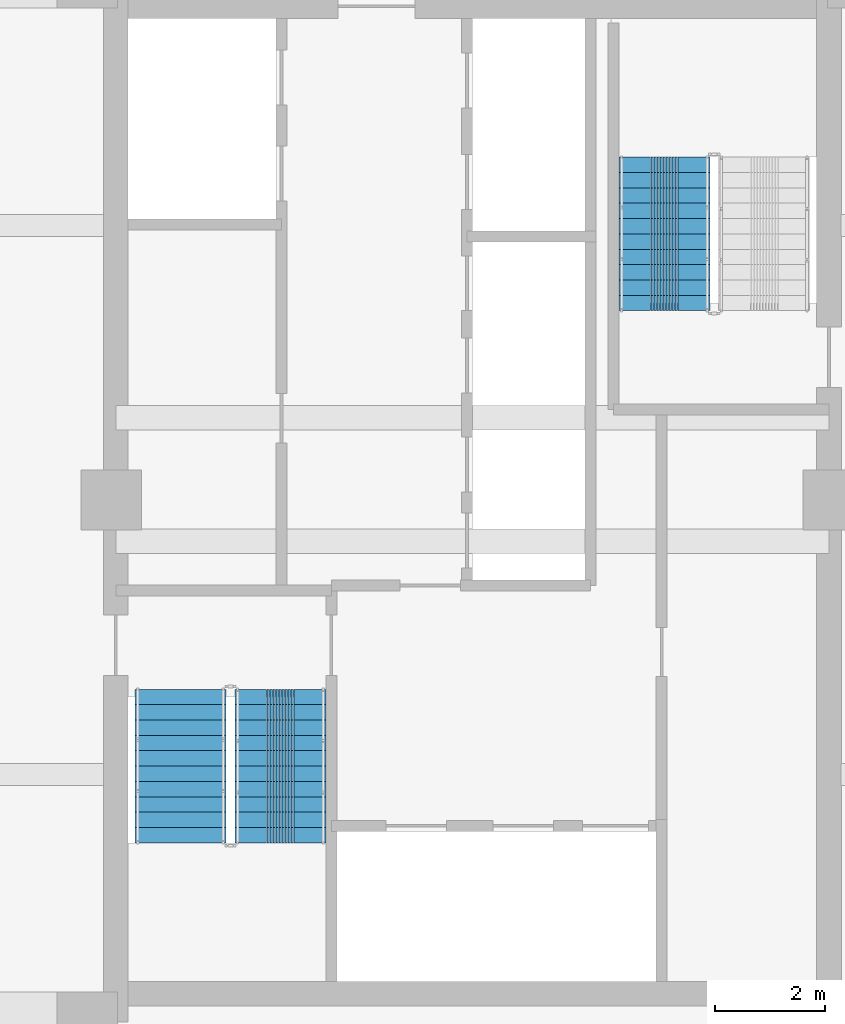
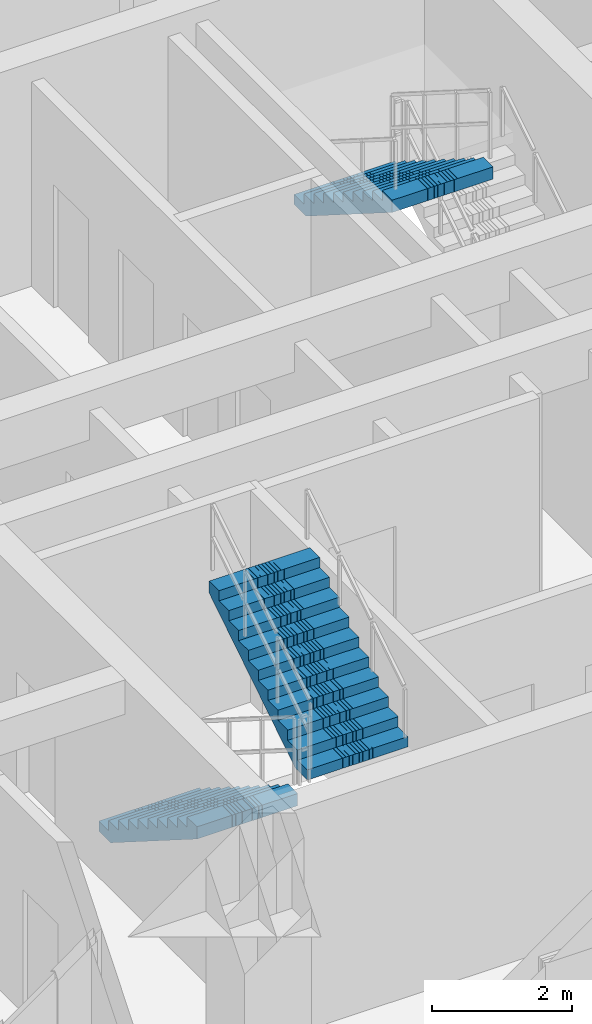
# One storey, part 9 of 15: 3 stair flights, 2 elements without a shape of their own.
"""IFC4 building model written with IfcOpenShell, lengths in metres."""

from ifc_helpers import new_model, si_unit, direction, frame, origin, place, context, subcontext, project, spatial, polyline, outline, extrude, material, type_object, element, aggregate, save


model = new_model("IFC4")

# Units and contexts
model_context = context("Model", 3, precision=1e-05, world=origin(), true_north=direction((0.0, 1.0)))
body_context = subcontext(model_context, "Body", "Model", "MODEL_VIEW")
ifc_project = project(units=[si_unit("LENGTHUNIT", "METRE"), si_unit("AREAUNIT", "SQUARE_METRE"), si_unit("VOLUMEUNIT", "CUBIC_METRE"), si_unit("PLANEANGLEUNIT", "RADIAN"), si_unit("MASSUNIT", "GRAM", prefix="KILO")], contexts=[model_context])

# Site, building, storey
site_placement = place(None, origin())
site = spatial("IfcSite", under=ifc_project, at=site_placement, CompositionType="ELEMENT")
building_placement = place(site_placement, origin())
building = spatial("IfcBuilding", under=site, at=building_placement, Name="Saelheon Loggia Tower", CompositionType="ELEMENT")
storey_placement = place(building_placement, frame((0.0, 0.0, 169.0)))
storey = spatial("IfcBuildingStorey", under=building, at=storey_placement, Name="L53", CompositionType="ELEMENT", Elevation=169.0)

# Stair, stair flights
ifc_material = material(Name="Concrete C40/50", Category="concrete")
stair_type = type_object("IfcStairType", Name="Stair_Escape_Core", PredefinedType="HALF_TURN_STAIR", material=ifc_material)
stair_1_placement = place(storey_placement, origin())
stair_1 = element("IfcStair", 1, at=stair_1_placement, inside=storey, type_object=stair_type, Name="L53 Special Escape Stair ST1", PredefinedType="HALF_TURN_STAIR")
stair_flight_type = type_object("IfcStairFlightType", Name="StairFlight_Tower_1660", PredefinedType="STRAIGHT", material=ifc_material)
stair_flight_1_placement = place(storey_placement, frame((32.679931640625, 23.550048828125, 0.0), z_axis=(0.0, 0.0, 1.0), x_axis=(0.0, -1.0, 0.0)))
stair_flight_1 = element("IfcStairFlight", 2, at=stair_flight_1_placement, type_object=stair_flight_type, Name="ST1 flight 1", NumberOfRisers=11, NumberOfTreads=10, PredefinedType="STRAIGHT", RiserHeight=0.177272727, TreadLength=0.28, context=body_context, shape_type="SweptSolid", body=[
    extrude(outline(polyline([(0.0, 0.0), (0.0, 0.17724609375), (0.280029296875, 0.17724609375), (0.280029296875, 0.3544921875), (0.56005859375, 0.3544921875), (0.56005859375, 0.53173828125), (0.840087890625, 0.53173828125), (0.840087890625, 0.708984375), (1.1201171875, 0.708984375), (1.1201171875, 0.886474609375), (1.39990234375, 0.886474609375), (1.39990234375, 1.063720703125), (1.679931640625, 1.063720703125), (1.679931640625, 1.240966796875), (1.9599609375, 1.240966796875), (1.9599609375, 1.418212890625), (2.239990234375, 1.418212890625), (2.239990234375, 1.595458984375), (2.52001953125, 1.595458984375), (2.52001953125, 1.772705078125), (2.800048828125, 1.772705078125), (2.800048828125, 1.949951171875), (2.800048828125, 1.559814453125), (0.33642578125, 0.0), (0.0, 0.0)])), frame((0.0, -0.2490234375, 0.0), z_axis=(0.0, -1.0, 0.0), x_axis=(1.0, 0.0, 0.0)), (0.0, 0.0, 1.0), 0.5810546875),
    extrude(outline(polyline([(0.0, 0.0), (0.0, 0.17724609375), (0.280029296875, 0.17724609375), (0.280029296875, 0.3544921875), (0.56005859375, 0.3544921875), (0.56005859375, 0.53173828125), (0.840087890625, 0.53173828125), (0.840087890625, 0.708984375), (1.1201171875, 0.708984375), (1.1201171875, 0.886474609375), (1.39990234375, 0.886474609375), (1.39990234375, 1.063720703125), (1.679931640625, 1.063720703125), (1.679931640625, 1.240966796875), (1.9599609375, 1.240966796875), (1.9599609375, 1.418212890625), (2.239990234375, 1.418212890625), (2.239990234375, 1.595458984375), (2.52001953125, 1.595458984375), (2.52001953125, 1.772705078125), (2.800048828125, 1.772705078125), (2.800048828125, 1.949951171875), (2.800048828125, 1.559814453125), (0.33642578125, 0.0), (0.0, 0.0)])), frame((0.0, -0.194091796875, 0.0), z_axis=(0.0, -1.0, 0.0), x_axis=(1.0, 0.0, 0.0)), (0.0, 0.0, 1.0), 0.0498046875),
    extrude(outline(polyline([(0.0, 0.0), (0.0, 0.17724609375), (0.280029296875, 0.17724609375), (0.280029296875, 0.3544921875), (0.56005859375, 0.3544921875), (0.56005859375, 0.53173828125), (0.840087890625, 0.53173828125), (0.840087890625, 0.708984375), (1.1201171875, 0.708984375), (1.1201171875, 0.886474609375), (1.39990234375, 0.886474609375), (1.39990234375, 1.063720703125), (1.679931640625, 1.063720703125), (1.679931640625, 1.240966796875), (1.9599609375, 1.240966796875), (1.9599609375, 1.418212890625), (2.239990234375, 1.418212890625), (2.239990234375, 1.595458984375), (2.52001953125, 1.595458984375), (2.52001953125, 1.772705078125), (2.800048828125, 1.772705078125), (2.800048828125, 1.949951171875), (2.800048828125, 1.559814453125), (0.33642578125, 0.0), (0.0, 0.0)])), frame((0.0, -0.139404296875, 0.0), z_axis=(0.0, -1.0, 0.0), x_axis=(1.0, 0.0, 0.0)), (0.0, 0.0, 1.0), 0.0498046875),
    extrude(outline(polyline([(0.0, 0.0), (0.0, 0.17724609375), (0.280029296875, 0.17724609375), (0.280029296875, 0.3544921875), (0.56005859375, 0.3544921875), (0.56005859375, 0.53173828125), (0.840087890625, 0.53173828125), (0.840087890625, 0.708984375), (1.1201171875, 0.708984375), (1.1201171875, 0.886474609375), (1.39990234375, 0.886474609375), (1.39990234375, 1.063720703125), (1.679931640625, 1.063720703125), (1.679931640625, 1.240966796875), (1.9599609375, 1.240966796875), (1.9599609375, 1.418212890625), (2.239990234375, 1.418212890625), (2.239990234375, 1.595458984375), (2.52001953125, 1.595458984375), (2.52001953125, 1.772705078125), (2.800048828125, 1.772705078125), (2.800048828125, 1.949951171875), (2.800048828125, 1.559814453125), (0.33642578125, 0.0), (0.0, 0.0)])), frame((0.0, -0.084716796875, 0.0), z_axis=(0.0, -1.0, 0.0), x_axis=(1.0, 0.0, 0.0)), (0.0, 0.0, 1.0), 0.0498046875),
    extrude(outline(polyline([(0.0, 0.0), (0.0, 0.17724609375), (0.280029296875, 0.17724609375), (0.280029296875, 0.3544921875), (0.56005859375, 0.3544921875), (0.56005859375, 0.53173828125), (0.840087890625, 0.53173828125), (0.840087890625, 0.708984375), (1.1201171875, 0.708984375), (1.1201171875, 0.886474609375), (1.39990234375, 0.886474609375), (1.39990234375, 1.063720703125), (1.679931640625, 1.063720703125), (1.679931640625, 1.240966796875), (1.9599609375, 1.240966796875), (1.9599609375, 1.418212890625), (2.239990234375, 1.418212890625), (2.239990234375, 1.595458984375), (2.52001953125, 1.595458984375), (2.52001953125, 1.772705078125), (2.800048828125, 1.772705078125), (2.800048828125, 1.949951171875), (2.800048828125, 1.559814453125), (0.33642578125, 0.0), (0.0, 0.0)])), frame((0.0, -0.02978515625, 0.0), z_axis=(0.0, -1.0, 0.0), x_axis=(1.0, 0.0, 0.0)), (0.0, 0.0, 1.0), 0.0498046875),
    extrude(outline(polyline([(0.0, 0.0), (0.0, 0.17724609375), (0.280029296875, 0.17724609375), (0.280029296875, 0.3544921875), (0.56005859375, 0.3544921875), (0.56005859375, 0.53173828125), (0.840087890625, 0.53173828125), (0.840087890625, 0.708984375), (1.1201171875, 0.708984375), (1.1201171875, 0.886474609375), (1.39990234375, 0.886474609375), (1.39990234375, 1.063720703125), (1.679931640625, 1.063720703125), (1.679931640625, 1.240966796875), (1.9599609375, 1.240966796875), (1.9599609375, 1.418212890625), (2.239990234375, 1.418212890625), (2.239990234375, 1.595458984375), (2.52001953125, 1.595458984375), (2.52001953125, 1.772705078125), (2.800048828125, 1.772705078125), (2.800048828125, 1.949951171875), (2.800048828125, 1.559814453125), (0.33642578125, 0.0), (0.0, 0.0)])), frame((0.0, 0.02490234375, 0.0), z_axis=(0.0, -1.0, 0.0), x_axis=(1.0, 0.0, 0.0)), (0.0, 0.0, 1.0), 0.0498046875),
    extrude(outline(polyline([(0.0, 0.0), (0.0, 0.17724609375), (0.280029296875, 0.17724609375), (0.280029296875, 0.3544921875), (0.56005859375, 0.3544921875), (0.56005859375, 0.53173828125), (0.840087890625, 0.53173828125), (0.840087890625, 0.708984375), (1.1201171875, 0.708984375), (1.1201171875, 0.886474609375), (1.39990234375, 0.886474609375), (1.39990234375, 1.063720703125), (1.679931640625, 1.063720703125), (1.679931640625, 1.240966796875), (1.9599609375, 1.240966796875), (1.9599609375, 1.418212890625), (2.239990234375, 1.418212890625), (2.239990234375, 1.595458984375), (2.52001953125, 1.595458984375), (2.52001953125, 1.772705078125), (2.800048828125, 1.772705078125), (2.800048828125, 1.949951171875), (2.800048828125, 1.559814453125), (0.33642578125, 0.0), (0.0, 0.0)])), frame((0.0, 0.07958984375, 0.0), z_axis=(0.0, -1.0, 0.0), x_axis=(1.0, 0.0, 0.0)), (0.0, 0.0, 1.0), 0.0498046875),
    extrude(outline(polyline([(0.0, 0.0), (0.0, 0.17724609375), (0.280029296875, 0.17724609375), (0.280029296875, 0.3544921875), (0.56005859375, 0.3544921875), (0.56005859375, 0.53173828125), (0.840087890625, 0.53173828125), (0.840087890625, 0.708984375), (1.1201171875, 0.708984375), (1.1201171875, 0.886474609375), (1.39990234375, 0.886474609375), (1.39990234375, 1.063720703125), (1.679931640625, 1.063720703125), (1.679931640625, 1.240966796875), (1.9599609375, 1.240966796875), (1.9599609375, 1.418212890625), (2.239990234375, 1.418212890625), (2.239990234375, 1.595458984375), (2.52001953125, 1.595458984375), (2.52001953125, 1.772705078125), (2.800048828125, 1.772705078125), (2.800048828125, 1.949951171875), (2.800048828125, 1.559814453125), (0.33642578125, 0.0), (0.0, 0.0)])), frame((0.0, 0.134521484375, 0.0), z_axis=(0.0, -1.0, 0.0), x_axis=(1.0, 0.0, 0.0)), (0.0, 0.0, 1.0), 0.0498046875),
    extrude(outline(polyline([(0.0, 0.0), (0.0, 0.17724609375), (0.280029296875, 0.17724609375), (0.280029296875, 0.3544921875), (0.56005859375, 0.3544921875), (0.56005859375, 0.53173828125), (0.840087890625, 0.53173828125), (0.840087890625, 0.708984375), (1.1201171875, 0.708984375), (1.1201171875, 0.886474609375), (1.39990234375, 0.886474609375), (1.39990234375, 1.063720703125), (1.679931640625, 1.063720703125), (1.679931640625, 1.240966796875), (1.9599609375, 1.240966796875), (1.9599609375, 1.418212890625), (2.239990234375, 1.418212890625), (2.239990234375, 1.595458984375), (2.52001953125, 1.595458984375), (2.52001953125, 1.772705078125), (2.800048828125, 1.772705078125), (2.800048828125, 1.949951171875), (2.800048828125, 1.559814453125), (0.33642578125, 0.0), (0.0, 0.0)])), frame((0.0, 0.189208984375, 0.0), z_axis=(0.0, -1.0, 0.0), x_axis=(1.0, 0.0, 0.0)), (0.0, 0.0, 1.0), 0.0498046875),
    extrude(outline(polyline([(0.0, 0.0), (0.0, 0.17724609375), (0.280029296875, 0.17724609375), (0.280029296875, 0.3544921875), (0.56005859375, 0.3544921875), (0.56005859375, 0.53173828125), (0.840087890625, 0.53173828125), (0.840087890625, 0.708984375), (1.1201171875, 0.708984375), (1.1201171875, 0.886474609375), (1.39990234375, 0.886474609375), (1.39990234375, 1.063720703125), (1.679931640625, 1.063720703125), (1.679931640625, 1.240966796875), (1.9599609375, 1.240966796875), (1.9599609375, 1.418212890625), (2.239990234375, 1.418212890625), (2.239990234375, 1.595458984375), (2.52001953125, 1.595458984375), (2.52001953125, 1.772705078125), (2.800048828125, 1.772705078125), (2.800048828125, 1.949951171875), (2.800048828125, 1.559814453125), (0.33642578125, 0.0), (0.0, 0.0)])), frame((0.0, 0.243896484375, 0.0), z_axis=(0.0, -1.0, 0.0), x_axis=(1.0, 0.0, 0.0)), (0.0, 0.0, 1.0), 0.0498046875),
    extrude(outline(polyline([(0.0, 0.0), (0.0, 0.17724609375), (0.280029296875, 0.17724609375), (0.280029296875, 0.3544921875), (0.56005859375, 0.3544921875), (0.56005859375, 0.53173828125), (0.840087890625, 0.53173828125), (0.840087890625, 0.708984375), (1.1201171875, 0.708984375), (1.1201171875, 0.886474609375), (1.39990234375, 0.886474609375), (1.39990234375, 1.063720703125), (1.679931640625, 1.063720703125), (1.679931640625, 1.240966796875), (1.9599609375, 1.240966796875), (1.9599609375, 1.418212890625), (2.239990234375, 1.418212890625), (2.239990234375, 1.595458984375), (2.52001953125, 1.595458984375), (2.52001953125, 1.772705078125), (2.800048828125, 1.772705078125), (2.800048828125, 1.949951171875), (2.800048828125, 1.559814453125), (0.33642578125, 0.0), (0.0, 0.0)])), frame((0.0, 0.830078125, 0.0), z_axis=(0.0, -1.0, 0.0), x_axis=(1.0, 0.0, 0.0)), (0.0, 0.0, 1.0), 0.5810546875),
])
stair_flight_2_placement = place(storey_placement, frame((34.5, 20.75, 1.949951171875), z_axis=(0.0, 0.0, 1.0), x_axis=(0.0, 1.0, 0.0)))
stair_flight_2 = element("IfcStairFlight", 3, at=stair_flight_2_placement, type_object=stair_flight_type, Name="ST1 flight 2", NumberOfRisers=11, NumberOfTreads=10, PredefinedType="STRAIGHT", RiserHeight=0.177272727, TreadLength=0.28, context=body_context, shape_type="SweptSolid", body=[
    extrude(outline(polyline([(0.0, 0.0), (0.0, 0.17724609375), (0.280029296875, 0.17724609375), (0.280029296875, 0.3544921875), (0.56005859375, 0.3544921875), (0.56005859375, 0.53173828125), (0.840087890625, 0.53173828125), (0.840087890625, 0.708984375), (1.1201171875, 0.708984375), (1.1201171875, 0.886474609375), (1.39990234375, 0.886474609375), (1.39990234375, 1.063720703125), (1.679931640625, 1.063720703125), (1.679931640625, 1.240966796875), (1.9599609375, 1.240966796875), (1.9599609375, 1.418212890625), (2.239990234375, 1.418212890625), (2.239990234375, 1.595458984375), (2.52001953125, 1.595458984375), (2.52001953125, 1.772705078125), (2.800048828125, 1.772705078125), (2.800048828125, 1.949951171875), (2.800048828125, 1.559814453125), (0.33642578125, 0.0), (0.0, 0.0)])), frame((0.0, -0.2490234375, 0.0), z_axis=(0.0, -1.0, 0.0), x_axis=(1.0, 0.0, 0.0)), (0.0, 0.0, 1.0), 0.5810546875),
    extrude(outline(polyline([(0.0, 0.0), (0.0, 0.17724609375), (0.280029296875, 0.17724609375), (0.280029296875, 0.3544921875), (0.56005859375, 0.3544921875), (0.56005859375, 0.53173828125), (0.840087890625, 0.53173828125), (0.840087890625, 0.708984375), (1.1201171875, 0.708984375), (1.1201171875, 0.886474609375), (1.39990234375, 0.886474609375), (1.39990234375, 1.063720703125), (1.679931640625, 1.063720703125), (1.679931640625, 1.240966796875), (1.9599609375, 1.240966796875), (1.9599609375, 1.418212890625), (2.239990234375, 1.418212890625), (2.239990234375, 1.595458984375), (2.52001953125, 1.595458984375), (2.52001953125, 1.772705078125), (2.800048828125, 1.772705078125), (2.800048828125, 1.949951171875), (2.800048828125, 1.559814453125), (0.33642578125, 0.0), (0.0, 0.0)])), frame((0.0, -0.194091796875, 0.0), z_axis=(0.0, -1.0, 0.0), x_axis=(1.0, 0.0, 0.0)), (0.0, 0.0, 1.0), 0.0498046875),
    extrude(outline(polyline([(0.0, 0.0), (0.0, 0.17724609375), (0.280029296875, 0.17724609375), (0.280029296875, 0.3544921875), (0.56005859375, 0.3544921875), (0.56005859375, 0.53173828125), (0.840087890625, 0.53173828125), (0.840087890625, 0.708984375), (1.1201171875, 0.708984375), (1.1201171875, 0.886474609375), (1.39990234375, 0.886474609375), (1.39990234375, 1.063720703125), (1.679931640625, 1.063720703125), (1.679931640625, 1.240966796875), (1.9599609375, 1.240966796875), (1.9599609375, 1.418212890625), (2.239990234375, 1.418212890625), (2.239990234375, 1.595458984375), (2.52001953125, 1.595458984375), (2.52001953125, 1.772705078125), (2.800048828125, 1.772705078125), (2.800048828125, 1.949951171875), (2.800048828125, 1.559814453125), (0.33642578125, 0.0), (0.0, 0.0)])), frame((0.0, -0.139404296875, 0.0), z_axis=(0.0, -1.0, 0.0), x_axis=(1.0, 0.0, 0.0)), (0.0, 0.0, 1.0), 0.0498046875),
    extrude(outline(polyline([(0.0, 0.0), (0.0, 0.17724609375), (0.280029296875, 0.17724609375), (0.280029296875, 0.3544921875), (0.56005859375, 0.3544921875), (0.56005859375, 0.53173828125), (0.840087890625, 0.53173828125), (0.840087890625, 0.708984375), (1.1201171875, 0.708984375), (1.1201171875, 0.886474609375), (1.39990234375, 0.886474609375), (1.39990234375, 1.063720703125), (1.679931640625, 1.063720703125), (1.679931640625, 1.240966796875), (1.9599609375, 1.240966796875), (1.9599609375, 1.418212890625), (2.239990234375, 1.418212890625), (2.239990234375, 1.595458984375), (2.52001953125, 1.595458984375), (2.52001953125, 1.772705078125), (2.800048828125, 1.772705078125), (2.800048828125, 1.949951171875), (2.800048828125, 1.559814453125), (0.33642578125, 0.0), (0.0, 0.0)])), frame((0.0, -0.084716796875, 0.0), z_axis=(0.0, -1.0, 0.0), x_axis=(1.0, 0.0, 0.0)), (0.0, 0.0, 1.0), 0.0498046875),
    extrude(outline(polyline([(0.0, 0.0), (0.0, 0.17724609375), (0.280029296875, 0.17724609375), (0.280029296875, 0.3544921875), (0.56005859375, 0.3544921875), (0.56005859375, 0.53173828125), (0.840087890625, 0.53173828125), (0.840087890625, 0.708984375), (1.1201171875, 0.708984375), (1.1201171875, 0.886474609375), (1.39990234375, 0.886474609375), (1.39990234375, 1.063720703125), (1.679931640625, 1.063720703125), (1.679931640625, 1.240966796875), (1.9599609375, 1.240966796875), (1.9599609375, 1.418212890625), (2.239990234375, 1.418212890625), (2.239990234375, 1.595458984375), (2.52001953125, 1.595458984375), (2.52001953125, 1.772705078125), (2.800048828125, 1.772705078125), (2.800048828125, 1.949951171875), (2.800048828125, 1.559814453125), (0.33642578125, 0.0), (0.0, 0.0)])), frame((0.0, -0.02978515625, 0.0), z_axis=(0.0, -1.0, 0.0), x_axis=(1.0, 0.0, 0.0)), (0.0, 0.0, 1.0), 0.0498046875),
    extrude(outline(polyline([(0.0, 0.0), (0.0, 0.17724609375), (0.280029296875, 0.17724609375), (0.280029296875, 0.3544921875), (0.56005859375, 0.3544921875), (0.56005859375, 0.53173828125), (0.840087890625, 0.53173828125), (0.840087890625, 0.708984375), (1.1201171875, 0.708984375), (1.1201171875, 0.886474609375), (1.39990234375, 0.886474609375), (1.39990234375, 1.063720703125), (1.679931640625, 1.063720703125), (1.679931640625, 1.240966796875), (1.9599609375, 1.240966796875), (1.9599609375, 1.418212890625), (2.239990234375, 1.418212890625), (2.239990234375, 1.595458984375), (2.52001953125, 1.595458984375), (2.52001953125, 1.772705078125), (2.800048828125, 1.772705078125), (2.800048828125, 1.949951171875), (2.800048828125, 1.559814453125), (0.33642578125, 0.0), (0.0, 0.0)])), frame((0.0, 0.02490234375, 0.0), z_axis=(0.0, -1.0, 0.0), x_axis=(1.0, 0.0, 0.0)), (0.0, 0.0, 1.0), 0.0498046875),
    extrude(outline(polyline([(0.0, 0.0), (0.0, 0.17724609375), (0.280029296875, 0.17724609375), (0.280029296875, 0.3544921875), (0.56005859375, 0.3544921875), (0.56005859375, 0.53173828125), (0.840087890625, 0.53173828125), (0.840087890625, 0.708984375), (1.1201171875, 0.708984375), (1.1201171875, 0.886474609375), (1.39990234375, 0.886474609375), (1.39990234375, 1.063720703125), (1.679931640625, 1.063720703125), (1.679931640625, 1.240966796875), (1.9599609375, 1.240966796875), (1.9599609375, 1.418212890625), (2.239990234375, 1.418212890625), (2.239990234375, 1.595458984375), (2.52001953125, 1.595458984375), (2.52001953125, 1.772705078125), (2.800048828125, 1.772705078125), (2.800048828125, 1.949951171875), (2.800048828125, 1.559814453125), (0.33642578125, 0.0), (0.0, 0.0)])), frame((0.0, 0.07958984375, 0.0), z_axis=(0.0, -1.0, 0.0), x_axis=(1.0, 0.0, 0.0)), (0.0, 0.0, 1.0), 0.0498046875),
    extrude(outline(polyline([(0.0, 0.0), (0.0, 0.17724609375), (0.280029296875, 0.17724609375), (0.280029296875, 0.3544921875), (0.56005859375, 0.3544921875), (0.56005859375, 0.53173828125), (0.840087890625, 0.53173828125), (0.840087890625, 0.708984375), (1.1201171875, 0.708984375), (1.1201171875, 0.886474609375), (1.39990234375, 0.886474609375), (1.39990234375, 1.063720703125), (1.679931640625, 1.063720703125), (1.679931640625, 1.240966796875), (1.9599609375, 1.240966796875), (1.9599609375, 1.418212890625), (2.239990234375, 1.418212890625), (2.239990234375, 1.595458984375), (2.52001953125, 1.595458984375), (2.52001953125, 1.772705078125), (2.800048828125, 1.772705078125), (2.800048828125, 1.949951171875), (2.800048828125, 1.559814453125), (0.33642578125, 0.0), (0.0, 0.0)])), frame((0.0, 0.134521484375, 0.0), z_axis=(0.0, -1.0, 0.0), x_axis=(1.0, 0.0, 0.0)), (0.0, 0.0, 1.0), 0.0498046875),
    extrude(outline(polyline([(0.0, 0.0), (0.0, 0.17724609375), (0.280029296875, 0.17724609375), (0.280029296875, 0.3544921875), (0.56005859375, 0.3544921875), (0.56005859375, 0.53173828125), (0.840087890625, 0.53173828125), (0.840087890625, 0.708984375), (1.1201171875, 0.708984375), (1.1201171875, 0.886474609375), (1.39990234375, 0.886474609375), (1.39990234375, 1.063720703125), (1.679931640625, 1.063720703125), (1.679931640625, 1.240966796875), (1.9599609375, 1.240966796875), (1.9599609375, 1.418212890625), (2.239990234375, 1.418212890625), (2.239990234375, 1.595458984375), (2.52001953125, 1.595458984375), (2.52001953125, 1.772705078125), (2.800048828125, 1.772705078125), (2.800048828125, 1.949951171875), (2.800048828125, 1.559814453125), (0.33642578125, 0.0), (0.0, 0.0)])), frame((0.0, 0.189208984375, 0.0), z_axis=(0.0, -1.0, 0.0), x_axis=(1.0, 0.0, 0.0)), (0.0, 0.0, 1.0), 0.0498046875),
    extrude(outline(polyline([(0.0, 0.0), (0.0, 0.17724609375), (0.280029296875, 0.17724609375), (0.280029296875, 0.3544921875), (0.56005859375, 0.3544921875), (0.56005859375, 0.53173828125), (0.840087890625, 0.53173828125), (0.840087890625, 0.708984375), (1.1201171875, 0.708984375), (1.1201171875, 0.886474609375), (1.39990234375, 0.886474609375), (1.39990234375, 1.063720703125), (1.679931640625, 1.063720703125), (1.679931640625, 1.240966796875), (1.9599609375, 1.240966796875), (1.9599609375, 1.418212890625), (2.239990234375, 1.418212890625), (2.239990234375, 1.595458984375), (2.52001953125, 1.595458984375), (2.52001953125, 1.772705078125), (2.800048828125, 1.772705078125), (2.800048828125, 1.949951171875), (2.800048828125, 1.559814453125), (0.33642578125, 0.0), (0.0, 0.0)])), frame((0.0, 0.243896484375, 0.0), z_axis=(0.0, -1.0, 0.0), x_axis=(1.0, 0.0, 0.0)), (0.0, 0.0, 1.0), 0.0498046875),
    extrude(outline(polyline([(0.0, 0.0), (0.0, 0.17724609375), (0.280029296875, 0.17724609375), (0.280029296875, 0.3544921875), (0.56005859375, 0.3544921875), (0.56005859375, 0.53173828125), (0.840087890625, 0.53173828125), (0.840087890625, 0.708984375), (1.1201171875, 0.708984375), (1.1201171875, 0.886474609375), (1.39990234375, 0.886474609375), (1.39990234375, 1.063720703125), (1.679931640625, 1.063720703125), (1.679931640625, 1.240966796875), (1.9599609375, 1.240966796875), (1.9599609375, 1.418212890625), (2.239990234375, 1.418212890625), (2.239990234375, 1.595458984375), (2.52001953125, 1.595458984375), (2.52001953125, 1.772705078125), (2.800048828125, 1.772705078125), (2.800048828125, 1.949951171875), (2.800048828125, 1.559814453125), (0.33642578125, 0.0), (0.0, 0.0)])), frame((0.0, 0.830078125, 0.0), z_axis=(0.0, -1.0, 0.0), x_axis=(1.0, 0.0, 0.0)), (0.0, 0.0, 1.0), 0.5810546875),
])
aggregate(stair_1, [stair_flight_1, stair_flight_2])

# Stair, stair flight
stair_2_placement = place(storey_placement, origin())
stair_2 = element("IfcStair", 4, at=stair_2_placement, inside=storey, type_object=stair_type, Name="L53 Special Escape Stair ST2", PredefinedType="HALF_TURN_STAIR")
stair_flight_3_placement = place(storey_placement, frame((41.5, 33.25, 1.949951171875), z_axis=(0.0, 0.0, 1.0), x_axis=(0.0, -1.0, 0.0)))
stair_flight_3 = element("IfcStairFlight", 5, at=stair_flight_3_placement, type_object=stair_flight_type, Name="ST2 flight 2", NumberOfRisers=11, NumberOfTreads=10, PredefinedType="STRAIGHT", RiserHeight=0.177272727, TreadLength=0.28, context=body_context, shape_type="SweptSolid", body=[
    extrude(outline(polyline([(0.0, 0.0), (0.0, 0.17724609375), (0.280029296875, 0.17724609375), (0.280029296875, 0.3544921875), (0.56005859375, 0.3544921875), (0.56005859375, 0.53173828125), (0.840087890625, 0.53173828125), (0.840087890625, 0.708984375), (1.1201171875, 0.708984375), (1.1201171875, 0.886474609375), (1.39990234375, 0.886474609375), (1.39990234375, 1.063720703125), (1.679931640625, 1.063720703125), (1.679931640625, 1.240966796875), (1.9599609375, 1.240966796875), (1.9599609375, 1.418212890625), (2.239990234375, 1.418212890625), (2.239990234375, 1.595458984375), (2.52001953125, 1.595458984375), (2.52001953125, 1.772705078125), (2.800048828125, 1.772705078125), (2.800048828125, 1.949951171875), (2.800048828125, 1.559814453125), (0.33642578125, 0.0), (0.0, 0.0)])), frame((0.0, -0.2490234375, 0.0), z_axis=(0.0, -1.0, 0.0), x_axis=(1.0, 0.0, 0.0)), (0.0, 0.0, 1.0), 0.5810546875),
    extrude(outline(polyline([(0.0, 0.0), (0.0, 0.17724609375), (0.280029296875, 0.17724609375), (0.280029296875, 0.3544921875), (0.56005859375, 0.3544921875), (0.56005859375, 0.53173828125), (0.840087890625, 0.53173828125), (0.840087890625, 0.708984375), (1.1201171875, 0.708984375), (1.1201171875, 0.886474609375), (1.39990234375, 0.886474609375), (1.39990234375, 1.063720703125), (1.679931640625, 1.063720703125), (1.679931640625, 1.240966796875), (1.9599609375, 1.240966796875), (1.9599609375, 1.418212890625), (2.239990234375, 1.418212890625), (2.239990234375, 1.595458984375), (2.52001953125, 1.595458984375), (2.52001953125, 1.772705078125), (2.800048828125, 1.772705078125), (2.800048828125, 1.949951171875), (2.800048828125, 1.559814453125), (0.33642578125, 0.0), (0.0, 0.0)])), frame((0.0, -0.194091796875, 0.0), z_axis=(0.0, -1.0, 0.0), x_axis=(1.0, 0.0, 0.0)), (0.0, 0.0, 1.0), 0.0498046875),
    extrude(outline(polyline([(0.0, 0.0), (0.0, 0.17724609375), (0.280029296875, 0.17724609375), (0.280029296875, 0.3544921875), (0.56005859375, 0.3544921875), (0.56005859375, 0.53173828125), (0.840087890625, 0.53173828125), (0.840087890625, 0.708984375), (1.1201171875, 0.708984375), (1.1201171875, 0.886474609375), (1.39990234375, 0.886474609375), (1.39990234375, 1.063720703125), (1.679931640625, 1.063720703125), (1.679931640625, 1.240966796875), (1.9599609375, 1.240966796875), (1.9599609375, 1.418212890625), (2.239990234375, 1.418212890625), (2.239990234375, 1.595458984375), (2.52001953125, 1.595458984375), (2.52001953125, 1.772705078125), (2.800048828125, 1.772705078125), (2.800048828125, 1.949951171875), (2.800048828125, 1.559814453125), (0.33642578125, 0.0), (0.0, 0.0)])), frame((0.0, -0.139404296875, 0.0), z_axis=(0.0, -1.0, 0.0), x_axis=(1.0, 0.0, 0.0)), (0.0, 0.0, 1.0), 0.0498046875),
    extrude(outline(polyline([(0.0, 0.0), (0.0, 0.17724609375), (0.280029296875, 0.17724609375), (0.280029296875, 0.3544921875), (0.56005859375, 0.3544921875), (0.56005859375, 0.53173828125), (0.840087890625, 0.53173828125), (0.840087890625, 0.708984375), (1.1201171875, 0.708984375), (1.1201171875, 0.886474609375), (1.39990234375, 0.886474609375), (1.39990234375, 1.063720703125), (1.679931640625, 1.063720703125), (1.679931640625, 1.240966796875), (1.9599609375, 1.240966796875), (1.9599609375, 1.418212890625), (2.239990234375, 1.418212890625), (2.239990234375, 1.595458984375), (2.52001953125, 1.595458984375), (2.52001953125, 1.772705078125), (2.800048828125, 1.772705078125), (2.800048828125, 1.949951171875), (2.800048828125, 1.559814453125), (0.33642578125, 0.0), (0.0, 0.0)])), frame((0.0, -0.084716796875, 0.0), z_axis=(0.0, -1.0, 0.0), x_axis=(1.0, 0.0, 0.0)), (0.0, 0.0, 1.0), 0.0498046875),
    extrude(outline(polyline([(0.0, 0.0), (0.0, 0.17724609375), (0.280029296875, 0.17724609375), (0.280029296875, 0.3544921875), (0.56005859375, 0.3544921875), (0.56005859375, 0.53173828125), (0.840087890625, 0.53173828125), (0.840087890625, 0.708984375), (1.1201171875, 0.708984375), (1.1201171875, 0.886474609375), (1.39990234375, 0.886474609375), (1.39990234375, 1.063720703125), (1.679931640625, 1.063720703125), (1.679931640625, 1.240966796875), (1.9599609375, 1.240966796875), (1.9599609375, 1.418212890625), (2.239990234375, 1.418212890625), (2.239990234375, 1.595458984375), (2.52001953125, 1.595458984375), (2.52001953125, 1.772705078125), (2.800048828125, 1.772705078125), (2.800048828125, 1.949951171875), (2.800048828125, 1.559814453125), (0.33642578125, 0.0), (0.0, 0.0)])), frame((0.0, -0.02978515625, 0.0), z_axis=(0.0, -1.0, 0.0), x_axis=(1.0, 0.0, 0.0)), (0.0, 0.0, 1.0), 0.0498046875),
    extrude(outline(polyline([(0.0, 0.0), (0.0, 0.17724609375), (0.280029296875, 0.17724609375), (0.280029296875, 0.3544921875), (0.56005859375, 0.3544921875), (0.56005859375, 0.53173828125), (0.840087890625, 0.53173828125), (0.840087890625, 0.708984375), (1.1201171875, 0.708984375), (1.1201171875, 0.886474609375), (1.39990234375, 0.886474609375), (1.39990234375, 1.063720703125), (1.679931640625, 1.063720703125), (1.679931640625, 1.240966796875), (1.9599609375, 1.240966796875), (1.9599609375, 1.418212890625), (2.239990234375, 1.418212890625), (2.239990234375, 1.595458984375), (2.52001953125, 1.595458984375), (2.52001953125, 1.772705078125), (2.800048828125, 1.772705078125), (2.800048828125, 1.949951171875), (2.800048828125, 1.559814453125), (0.33642578125, 0.0), (0.0, 0.0)])), frame((0.0, 0.02490234375, 0.0), z_axis=(0.0, -1.0, 0.0), x_axis=(1.0, 0.0, 0.0)), (0.0, 0.0, 1.0), 0.0498046875),
    extrude(outline(polyline([(0.0, 0.0), (0.0, 0.17724609375), (0.280029296875, 0.17724609375), (0.280029296875, 0.3544921875), (0.56005859375, 0.3544921875), (0.56005859375, 0.53173828125), (0.840087890625, 0.53173828125), (0.840087890625, 0.708984375), (1.1201171875, 0.708984375), (1.1201171875, 0.886474609375), (1.39990234375, 0.886474609375), (1.39990234375, 1.063720703125), (1.679931640625, 1.063720703125), (1.679931640625, 1.240966796875), (1.9599609375, 1.240966796875), (1.9599609375, 1.418212890625), (2.239990234375, 1.418212890625), (2.239990234375, 1.595458984375), (2.52001953125, 1.595458984375), (2.52001953125, 1.772705078125), (2.800048828125, 1.772705078125), (2.800048828125, 1.949951171875), (2.800048828125, 1.559814453125), (0.33642578125, 0.0), (0.0, 0.0)])), frame((0.0, 0.07958984375, 0.0), z_axis=(0.0, -1.0, 0.0), x_axis=(1.0, 0.0, 0.0)), (0.0, 0.0, 1.0), 0.0498046875),
    extrude(outline(polyline([(0.0, 0.0), (0.0, 0.17724609375), (0.280029296875, 0.17724609375), (0.280029296875, 0.3544921875), (0.56005859375, 0.3544921875), (0.56005859375, 0.53173828125), (0.840087890625, 0.53173828125), (0.840087890625, 0.708984375), (1.1201171875, 0.708984375), (1.1201171875, 0.886474609375), (1.39990234375, 0.886474609375), (1.39990234375, 1.063720703125), (1.679931640625, 1.063720703125), (1.679931640625, 1.240966796875), (1.9599609375, 1.240966796875), (1.9599609375, 1.418212890625), (2.239990234375, 1.418212890625), (2.239990234375, 1.595458984375), (2.52001953125, 1.595458984375), (2.52001953125, 1.772705078125), (2.800048828125, 1.772705078125), (2.800048828125, 1.949951171875), (2.800048828125, 1.559814453125), (0.33642578125, 0.0), (0.0, 0.0)])), frame((0.0, 0.134521484375, 0.0), z_axis=(0.0, -1.0, 0.0), x_axis=(1.0, 0.0, 0.0)), (0.0, 0.0, 1.0), 0.0498046875),
    extrude(outline(polyline([(0.0, 0.0), (0.0, 0.17724609375), (0.280029296875, 0.17724609375), (0.280029296875, 0.3544921875), (0.56005859375, 0.3544921875), (0.56005859375, 0.53173828125), (0.840087890625, 0.53173828125), (0.840087890625, 0.708984375), (1.1201171875, 0.708984375), (1.1201171875, 0.886474609375), (1.39990234375, 0.886474609375), (1.39990234375, 1.063720703125), (1.679931640625, 1.063720703125), (1.679931640625, 1.240966796875), (1.9599609375, 1.240966796875), (1.9599609375, 1.418212890625), (2.239990234375, 1.418212890625), (2.239990234375, 1.595458984375), (2.52001953125, 1.595458984375), (2.52001953125, 1.772705078125), (2.800048828125, 1.772705078125), (2.800048828125, 1.949951171875), (2.800048828125, 1.559814453125), (0.33642578125, 0.0), (0.0, 0.0)])), frame((0.0, 0.189208984375, 0.0), z_axis=(0.0, -1.0, 0.0), x_axis=(1.0, 0.0, 0.0)), (0.0, 0.0, 1.0), 0.0498046875),
    extrude(outline(polyline([(0.0, 0.0), (0.0, 0.17724609375), (0.280029296875, 0.17724609375), (0.280029296875, 0.3544921875), (0.56005859375, 0.3544921875), (0.56005859375, 0.53173828125), (0.840087890625, 0.53173828125), (0.840087890625, 0.708984375), (1.1201171875, 0.708984375), (1.1201171875, 0.886474609375), (1.39990234375, 0.886474609375), (1.39990234375, 1.063720703125), (1.679931640625, 1.063720703125), (1.679931640625, 1.240966796875), (1.9599609375, 1.240966796875), (1.9599609375, 1.418212890625), (2.239990234375, 1.418212890625), (2.239990234375, 1.595458984375), (2.52001953125, 1.595458984375), (2.52001953125, 1.772705078125), (2.800048828125, 1.772705078125), (2.800048828125, 1.949951171875), (2.800048828125, 1.559814453125), (0.33642578125, 0.0), (0.0, 0.0)])), frame((0.0, 0.243896484375, 0.0), z_axis=(0.0, -1.0, 0.0), x_axis=(1.0, 0.0, 0.0)), (0.0, 0.0, 1.0), 0.0498046875),
    extrude(outline(polyline([(0.0, 0.0), (0.0, 0.17724609375), (0.280029296875, 0.17724609375), (0.280029296875, 0.3544921875), (0.56005859375, 0.3544921875), (0.56005859375, 0.53173828125), (0.840087890625, 0.53173828125), (0.840087890625, 0.708984375), (1.1201171875, 0.708984375), (1.1201171875, 0.886474609375), (1.39990234375, 0.886474609375), (1.39990234375, 1.063720703125), (1.679931640625, 1.063720703125), (1.679931640625, 1.240966796875), (1.9599609375, 1.240966796875), (1.9599609375, 1.418212890625), (2.239990234375, 1.418212890625), (2.239990234375, 1.595458984375), (2.52001953125, 1.595458984375), (2.52001953125, 1.772705078125), (2.800048828125, 1.772705078125), (2.800048828125, 1.949951171875), (2.800048828125, 1.559814453125), (0.33642578125, 0.0), (0.0, 0.0)])), frame((0.0, 0.830078125, 0.0), z_axis=(0.0, -1.0, 0.0), x_axis=(1.0, 0.0, 0.0)), (0.0, 0.0, 1.0), 0.5810546875),
])
aggregate(stair_2, [stair_flight_3])

save(model, "model.ifc")
